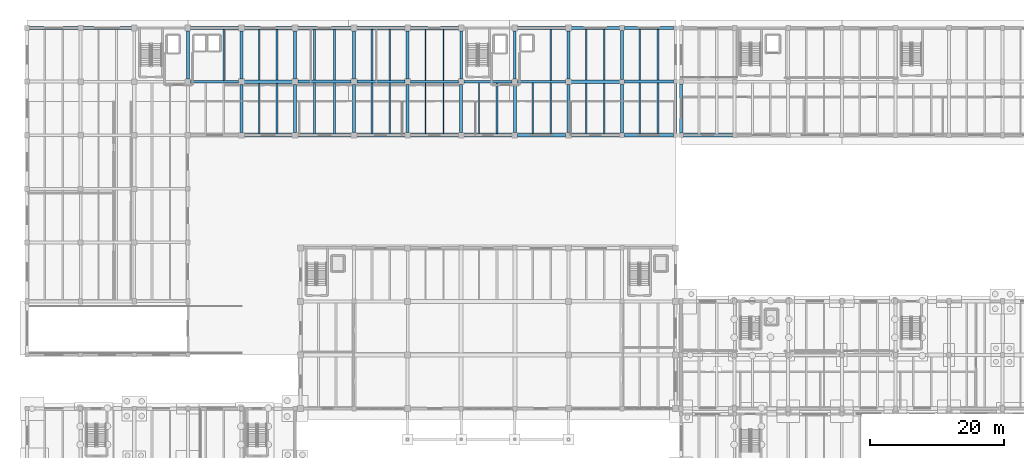
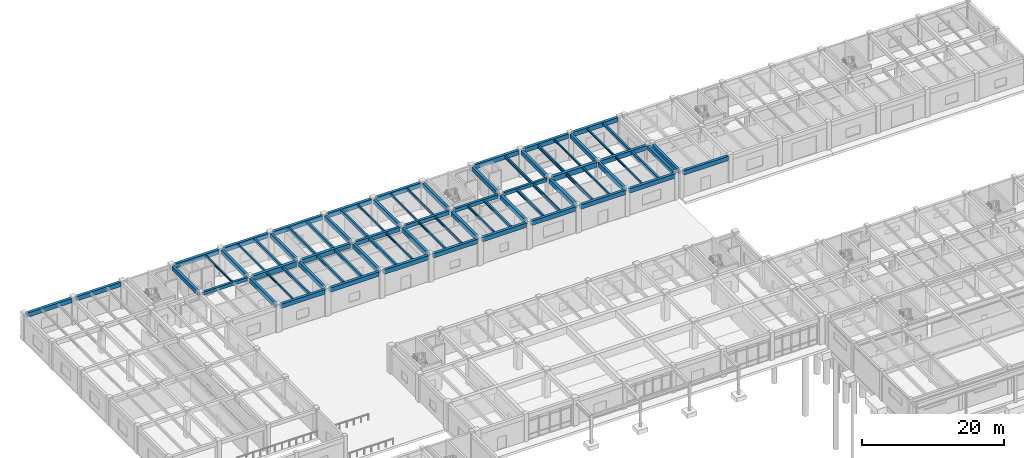
# One storey, part 24 of 64: 77 beams.
"""IFC4 building model written with IfcOpenShell, lengths in metres."""

from ifc_helpers import new_model, si_unit, direction, frame, origin, origin_2d, place, context, subcontext, project, spatial, rectangle, i_section, extrude, material, material_profile, profile_set, type_object, element, save


model = new_model("IFC4")

# Units and contexts
model_context = context("Model", 3, precision=1e-05, world=origin(), true_north=direction((0.0, 1.0)))
body_context = subcontext(model_context, "Body", "Model", "MODEL_VIEW")
ifc_project = project(units=[si_unit("LENGTHUNIT", "METRE"), si_unit("AREAUNIT", "SQUARE_METRE"), si_unit("VOLUMEUNIT", "CUBIC_METRE"), si_unit("PLANEANGLEUNIT", "RADIAN"), si_unit("MASSUNIT", "GRAM", prefix="KILO")], contexts=[model_context])

# Site, building, storey
site_placement = place(None, origin())
site = spatial("IfcSite", under=ifc_project, at=site_placement, CompositionType="ELEMENT")
building_placement = place(site_placement, origin())
building = spatial("IfcBuilding", under=site, at=building_placement, Name="Tlaxcora Railside Police Headquarters", CompositionType="ELEMENT")
storey_placement = place(building_placement, origin())
storey = spatial("IfcBuildingStorey", under=building, at=storey_placement, Name="L00", CompositionType="ELEMENT", Elevation=0.0)

# Beams
ifc_material_1 = material(Name="Concrete C40/50", Category="concrete")
ifc_material_profile_1 = material_profile(ifc_material_1, rectangle(XDim=0.39990234375, YDim=0.64990234375, at=origin_2d()), Name="RC400X650")
ifc_profile_set_1 = profile_set([ifc_material_profile_1], Name="Concrete C40/50")
beam_type_1 = type_object("IfcBeamType", Name="Perimeter Spandrel Beam BM-46", PredefinedType="SPANDREL", material=ifc_profile_set_1)
beam_1_placement = place(storey_placement, frame((102.0, 77.090087890625, 4.205078125), z_axis=(0.0, 1.0, 0.0), x_axis=(-1.0, 0.0, 0.0)))
element("IfcBeam", 1, at=beam_1_placement, inside=storey, type_object=beam_type_1, Name="V5 L00 Y-girder X=102.0", PredefinedType="SPANDREL", context=body_context, shape_type="SweptSolid", body=[
    extrude(rectangle(XDim=0.39990234375, YDim=0.64990234375, at=origin_2d()), origin(), (0.0, 0.0, 1.0), 7.419921875),
])
beam_2_placement = place(storey_placement, frame((102.800048828125, 77.139892578125, 4.205078125), z_axis=(0.0, 1.0, 0.0), x_axis=(-1.0, 0.0, 0.0)))
element("IfcBeam", 2, at=beam_2_placement, inside=storey, type_object=beam_type_1, Name="V6 L00 Y-girder X=102.8", PredefinedType="SPANDREL", context=body_context, shape_type="SweptSolid", body=[
    extrude(rectangle(XDim=0.39990234375, YDim=0.64990234375, at=origin_2d()), origin(), (0.0, 0.0, 1.0), 7.320068359375),
])
ifc_material_profile_2 = material_profile(ifc_material_1, rectangle(XDim=0.449951171875, YDim=0.75, at=origin_2d()), Name="RC450X750")
ifc_profile_set_2 = profile_set([ifc_material_profile_2], Name="Concrete C40/50")
beam_type_2 = type_object("IfcBeamType", Name="Perimeter Spandrel Beam BM-86", PredefinedType="SPANDREL", material=ifc_profile_set_2)
beam_3_placement = place(storey_placement, frame((37.614990234375, 76.800048828125, 4.155029296875), z_axis=(1.0, 0.0, 0.0), x_axis=(0.0, 1.0, 0.0)))
element("IfcBeam", 3, at=beam_3_placement, inside=storey, type_object=beam_type_2, Name="V5 L00 X-girder Y=76.8", PredefinedType="SPANDREL", context=body_context, shape_type="SweptSolid", body=[
    extrude(rectangle(XDim=0.449951171875, YDim=0.75, at=origin_2d()), origin(), (0.0, 0.0, 1.0), 7.169921875),
])
beam_4_placement = place(storey_placement, frame((45.614990234375, 76.800048828125, 4.155029296875), z_axis=(1.0, 0.0, 0.0), x_axis=(0.0, 1.0, 0.0)))
element("IfcBeam", 4, at=beam_4_placement, inside=storey, type_object=beam_type_2, Name="V5 L00 X-girder Y=76.8", PredefinedType="SPANDREL", context=body_context, shape_type="SweptSolid", body=[
    extrude(rectangle(XDim=0.449951171875, YDim=0.75, at=origin_2d()), origin(), (0.0, 0.0, 1.0), 7.969970703125),
])
for number, where, z_axis, x_axis, name in (
    (5, (54.4150390625, 76.800048828125, 4.155029296875), (1.0, 0.0, 0.0), (0.0, 1.0, 0.0), "V5 L00 X-girder Y=76.8"),
    (6, (62.4150390625, 76.800048828125, 4.155029296875), (1.0, 0.0, 0.0), (0.0, 1.0, 0.0), "V5 L00 X-girder Y=76.8"),
    (7, (70.4150390625, 76.800048828125, 4.155029296875), (1.0, 0.0, 0.0), (0.0, 1.0, 0.0), "V5 L00 X-girder Y=76.8"),
    (8, (78.4150390625, 76.800048828125, 4.155029296875), (1.0, 0.0, 0.0), (0.0, 1.0, 0.0), "V5 L00 X-girder Y=76.8"),
):
    element("IfcBeam", number, at=place(storey_placement, frame(where, z_axis=z_axis, x_axis=x_axis)), inside=storey, type_object=beam_type_2, Name=name, PredefinedType="SPANDREL", context=body_context, shape_type="SweptSolid", body=[
        extrude(rectangle(XDim=0.449951171875, YDim=0.75, at=origin_2d()), origin(), (0.0, 0.0, 1.0), 7.169921875),
    ])
beam_5_placement = place(storey_placement, frame((86.4150390625, 76.800048828125, 4.155029296875), z_axis=(1.0, 0.0, 0.0), x_axis=(0.0, 1.0, 0.0)))
element("IfcBeam", 9, at=beam_5_placement, inside=storey, type_object=beam_type_2, Name="V5 L00 X-girder Y=76.8", PredefinedType="SPANDREL", context=body_context, shape_type="SweptSolid", body=[
    extrude(rectangle(XDim=0.449951171875, YDim=0.75, at=origin_2d()), origin(), (0.0, 0.0, 1.0), 7.244873046875),
])
beam_6_placement = place(storey_placement, frame((94.340087890625, 76.800048828125, 4.155029296875), z_axis=(1.0, 0.0, 0.0), x_axis=(0.0, 1.0, 0.0)))
element("IfcBeam", 10, at=beam_6_placement, inside=storey, type_object=beam_type_2, Name="V5 L00 X-girder Y=76.8", PredefinedType="SPANDREL", context=body_context, shape_type="SweptSolid", body=[
    extrude(rectangle(XDim=0.449951171875, YDim=0.75, at=origin_2d()), origin(), (0.0, 0.0, 1.0), 7.369873046875),
])
beam_7_placement = place(storey_placement, frame((5.56494140625, 92.800048828125, 4.155029296875), z_axis=(1.0, 0.0, 0.0), x_axis=(0.0, 1.0, 0.0)))
element("IfcBeam", 11, at=beam_7_placement, inside=storey, type_object=beam_type_2, Name="V5 L00 X-girder Y=92.8", PredefinedType="SPANDREL", context=body_context, shape_type="SweptSolid", body=[
    extrude(rectangle(XDim=0.449951171875, YDim=0.75, at=origin_2d()), origin(), (0.0, 0.0, 1.0), 7.2451171875),
])
beam_8_placement = place(storey_placement, frame((13.590087890625, 92.800048828125, 4.155029296875), z_axis=(1.0, 0.0, 0.0), x_axis=(0.0, 1.0, 0.0)))
element("IfcBeam", 12, at=beam_8_placement, inside=storey, type_object=beam_type_2, Name="V5 L00 X-girder Y=92.8", PredefinedType="SPANDREL", context=body_context, shape_type="SweptSolid", body=[
    extrude(rectangle(XDim=0.449951171875, YDim=0.75, at=origin_2d()), origin(), (0.0, 0.0, 1.0), 7.19482421875),
])
for number, where, z_axis, x_axis, name in (
    (13, (29.614990234375, 92.800048828125, 4.155029296875), (1.0, 0.0, 0.0), (0.0, 1.0, 0.0), "V5 L00 X-girder Y=92.8"),
    (14, (37.614990234375, 92.800048828125, 4.155029296875), (1.0, 0.0, 0.0), (0.0, 1.0, 0.0), "V5 L00 X-girder Y=92.8"),
):
    element("IfcBeam", number, at=place(storey_placement, frame(where, z_axis=z_axis, x_axis=x_axis)), inside=storey, type_object=beam_type_2, Name=name, PredefinedType="SPANDREL", context=body_context, shape_type="SweptSolid", body=[
        extrude(rectangle(XDim=0.449951171875, YDim=0.75, at=origin_2d()), origin(), (0.0, 0.0, 1.0), 7.169921875),
    ])
beam_9_placement = place(storey_placement, frame((45.614990234375, 92.800048828125, 4.155029296875), z_axis=(1.0, 0.0, 0.0), x_axis=(0.0, 1.0, 0.0)))
element("IfcBeam", 15, at=beam_9_placement, inside=storey, type_object=beam_type_2, Name="V5 L00 X-girder Y=92.8", PredefinedType="SPANDREL", context=body_context, shape_type="SweptSolid", body=[
    extrude(rectangle(XDim=0.449951171875, YDim=0.75, at=origin_2d()), origin(), (0.0, 0.0, 1.0), 7.969970703125),
])
for number, where, z_axis, x_axis, name in (
    (16, (54.4150390625, 92.800048828125, 4.155029296875), (1.0, 0.0, 0.0), (0.0, 1.0, 0.0), "V5 L00 X-girder Y=92.8"),
    (17, (62.4150390625, 92.800048828125, 4.155029296875), (1.0, 0.0, 0.0), (0.0, 1.0, 0.0), "V5 L00 X-girder Y=92.8"),
    (18, (78.4150390625, 92.800048828125, 4.155029296875), (1.0, 0.0, 0.0), (0.0, 1.0, 0.0), "V5 L00 X-girder Y=92.8"),
):
    element("IfcBeam", number, at=place(storey_placement, frame(where, z_axis=z_axis, x_axis=x_axis)), inside=storey, type_object=beam_type_2, Name=name, PredefinedType="SPANDREL", context=body_context, shape_type="SweptSolid", body=[
        extrude(rectangle(XDim=0.449951171875, YDim=0.75, at=origin_2d()), origin(), (0.0, 0.0, 1.0), 7.169921875),
    ])
beam_10_placement = place(storey_placement, frame((86.4150390625, 92.800048828125, 4.155029296875), z_axis=(1.0, 0.0, 0.0), x_axis=(0.0, 1.0, 0.0)))
element("IfcBeam", 19, at=beam_10_placement, inside=storey, type_object=beam_type_2, Name="V5 L00 X-girder Y=92.8", PredefinedType="SPANDREL", context=body_context, shape_type="SweptSolid", body=[
    extrude(rectangle(XDim=0.449951171875, YDim=0.75, at=origin_2d()), origin(), (0.0, 0.0, 1.0), 7.244873046875),
])
beam_11_placement = place(storey_placement, frame((94.340087890625, 92.800048828125, 4.155029296875), z_axis=(1.0, 0.0, 0.0), x_axis=(0.0, 1.0, 0.0)))
element("IfcBeam", 20, at=beam_11_placement, inside=storey, type_object=beam_type_2, Name="V5 L00 X-girder Y=92.8", PredefinedType="SPANDREL", context=body_context, shape_type="SweptSolid", body=[
    extrude(rectangle(XDim=0.449951171875, YDim=0.75, at=origin_2d()), origin(), (0.0, 0.0, 1.0), 7.369873046875),
])
beam_12_placement = place(storey_placement, frame((103.139892578125, 76.800048828125, 4.155029296875), z_axis=(1.0, 0.0, 0.0), x_axis=(0.0, 1.0, 0.0)))
element("IfcBeam", 21, at=beam_12_placement, inside=storey, type_object=beam_type_2, Name="V6 L00 X-girder Y=76.8", PredefinedType="SPANDREL", context=body_context, shape_type="SweptSolid", body=[
    extrude(rectangle(XDim=0.449951171875, YDim=0.75, at=origin_2d()), origin(), (0.0, 0.0, 1.0), 7.320068359375),
])
ifc_material_profile_3 = material_profile(ifc_material_1, rectangle(XDim=0.3798828125, YDim=0.60009765625, at=origin_2d()), Name="RC380X600")
ifc_profile_set_3 = profile_set([ifc_material_profile_3], Name="Concrete C40/50")
beam_type_3 = type_object("IfcBeamType", Name="Primary Frame Girder BM-22", PredefinedType="BEAM", material=ifc_profile_set_3)
beam_13_placement = place(storey_placement, frame((70.4150390625, 84.800048828125, 4.22998046875), z_axis=(1.0, 0.0, 0.0), x_axis=(0.0, 1.0, 0.0)))
element("IfcBeam", 22, at=beam_13_placement, inside=storey, type_object=beam_type_3, Name="V5 L00 X-girder Y=84.8", PredefinedType="BEAM", context=body_context, shape_type="SweptSolid", body=[
    extrude(rectangle(XDim=0.3798828125, YDim=0.60009765625, at=origin_2d()), origin(), (0.0, 0.0, 1.0), 7.169921875),
])
ifc_material_profile_4 = material_profile(ifc_material_1, rectangle(XDim=0.419921875, YDim=0.699951171875, at=origin_2d()), Name="RC420X700")
ifc_profile_set_4 = profile_set([ifc_material_profile_4], Name="Concrete C40/50")
beam_type_4 = type_object("IfcBeamType", Name="Primary Frame Girder BM-35", PredefinedType="BEAM", material=ifc_profile_set_4)
for number, where, z_axis, x_axis, name in (
    (23, (54.4150390625, 84.800048828125, 4.179931640625), (1.0, 0.0, 0.0), (0.0, 1.0, 0.0), "V5 L00 X-girder Y=84.8"),
    (24, (29.199951171875, 85.215087890625, 4.179931640625), (0.0, 1.0, 0.0), (-1.0, 0.0, 0.0), "V5 L00 Y-girder X=29.2"),
    (25, (37.199951171875, 85.215087890625, 4.179931640625), (0.0, 1.0, 0.0), (-1.0, 0.0, 0.0), "V5 L00 Y-girder X=37.2"),
    (26, (45.199951171875, 85.215087890625, 4.179931640625), (0.0, 1.0, 0.0), (-1.0, 0.0, 0.0), "V5 L00 Y-girder X=45.2"),
    (27, (54.0, 85.215087890625, 4.179931640625), (0.0, 1.0, 0.0), (-1.0, 0.0, 0.0), "V5 L00 Y-girder X=54.0"),
    (28, (62.0, 85.215087890625, 4.179931640625), (0.0, 1.0, 0.0), (-1.0, 0.0, 0.0), "V5 L00 Y-girder X=62.0"),
    (29, (70.0, 85.215087890625, 4.179931640625), (0.0, 1.0, 0.0), (-1.0, 0.0, 0.0), "V5 L00 Y-girder X=70.0"),
    (30, (78.0, 85.215087890625, 4.179931640625), (0.0, 1.0, 0.0), (-1.0, 0.0, 0.0), "V5 L00 Y-girder X=78.0"),
    (31, (86.0, 85.215087890625, 4.179931640625), (0.0, 1.0, 0.0), (-1.0, 0.0, 0.0), "V5 L00 Y-girder X=86.0"),
):
    element("IfcBeam", number, at=place(storey_placement, frame(where, z_axis=z_axis, x_axis=x_axis)), inside=storey, type_object=beam_type_4, Name=name, PredefinedType="BEAM", context=body_context, shape_type="SweptSolid", body=[
        extrude(rectangle(XDim=0.419921875, YDim=0.699951171875, at=origin_2d()), origin(), (0.0, 0.0, 1.0), 7.169921875),
    ])
beam_14_placement = place(storey_placement, frame((94.0, 85.139892578125, 4.179931640625), z_axis=(0.0, 1.0, 0.0), x_axis=(-1.0, 0.0, 0.0)))
element("IfcBeam", 32, at=beam_14_placement, inside=storey, type_object=beam_type_4, Name="V5 L00 Y-girder X=94.0", PredefinedType="BEAM", context=body_context, shape_type="SweptSolid", body=[
    extrude(rectangle(XDim=0.419921875, YDim=0.699951171875, at=origin_2d()), origin(), (0.0, 0.0, 1.0), 7.320068359375),
])
ifc_material_profile_5 = material_profile(ifc_material_1, rectangle(XDim=0.35009765625, YDim=0.550048828125, at=origin_2d()), Name="RC350X550")
ifc_profile_set_5 = profile_set([ifc_material_profile_5], Name="Concrete C40/50")
beam_type_5 = type_object("IfcBeamType", Name="Primary Frame Girder BM-39", PredefinedType="BEAM", material=ifc_profile_set_5)
for number, where, z_axis, x_axis, name in (
    (33, (29.614990234375, 84.800048828125, 4.2548828125), (1.0, 0.0, 0.0), (0.0, 1.0, 0.0), "V5 L00 X-girder Y=84.8"),
    (34, (78.4150390625, 84.800048828125, 4.2548828125), (1.0, 0.0, 0.0), (0.0, 1.0, 0.0), "V5 L00 X-girder Y=84.8"),
):
    element("IfcBeam", number, at=place(storey_placement, frame(where, z_axis=z_axis, x_axis=x_axis)), inside=storey, type_object=beam_type_5, Name=name, PredefinedType="BEAM", context=body_context, shape_type="SweptSolid", body=[
        extrude(rectangle(XDim=0.35009765625, YDim=0.550048828125, at=origin_2d()), origin(), (0.0, 0.0, 1.0), 7.169921875),
    ])
ifc_material_profile_6 = material_profile(ifc_material_1, rectangle(XDim=0.39990234375, YDim=0.64990234375, at=origin_2d()), Name="RC400X650")
ifc_profile_set_6 = profile_set([ifc_material_profile_6], Name="Concrete C40/50")
beam_type_6 = type_object("IfcBeamType", Name="Primary Frame Girder BM-41", PredefinedType="BEAM", material=ifc_profile_set_6)
beam_15_placement = place(storey_placement, frame((62.4150390625, 84.800048828125, 4.205078125), z_axis=(1.0, 0.0, 0.0), x_axis=(0.0, 1.0, 0.0)))
element("IfcBeam", 35, at=beam_15_placement, inside=storey, type_object=beam_type_6, Name="V5 L00 X-girder Y=84.8", PredefinedType="BEAM", context=body_context, shape_type="SweptSolid", body=[
    extrude(rectangle(XDim=0.39990234375, YDim=0.64990234375, at=origin_2d()), origin(), (0.0, 0.0, 1.0), 7.169921875),
])
ifc_material_profile_7 = material_profile(ifc_material_1, rectangle(XDim=0.5, YDim=0.85009765625, at=origin_2d()), Name="RC500X850")
ifc_profile_set_7 = profile_set([ifc_material_profile_7], Name="Concrete C40/50")
beam_type_7 = type_object("IfcBeamType", Name="Primary Frame Girder BM-64", PredefinedType="BEAM", material=ifc_profile_set_7)
beam_16_placement = place(storey_placement, frame((37.614990234375, 84.800048828125, 4.10498046875), z_axis=(1.0, 0.0, 0.0), x_axis=(0.0, 1.0, 0.0)))
element("IfcBeam", 36, at=beam_16_placement, inside=storey, type_object=beam_type_7, Name="V5 L00 X-girder Y=84.8", PredefinedType="BEAM", context=body_context, shape_type="SweptSolid", body=[
    extrude(rectangle(XDim=0.5, YDim=0.85009765625, at=origin_2d()), origin(), (0.0, 0.0, 1.0), 7.169921875),
])
beam_17_placement = place(storey_placement, frame((86.4150390625, 84.800048828125, 4.10498046875), z_axis=(1.0, 0.0, 0.0), x_axis=(0.0, 1.0, 0.0)))
element("IfcBeam", 37, at=beam_17_placement, inside=storey, type_object=beam_type_7, Name="V5 L00 X-girder Y=84.8", PredefinedType="BEAM", context=body_context, shape_type="SweptSolid", body=[
    extrude(rectangle(XDim=0.5, YDim=0.85009765625, at=origin_2d()), origin(), (0.0, 0.0, 1.0), 7.244873046875),
])
ifc_material_profile_8 = material_profile(ifc_material_1, rectangle(XDim=0.449951171875, YDim=0.75, at=origin_2d()), Name="RC450X750")
ifc_profile_set_8 = profile_set([ifc_material_profile_8], Name="Concrete C40/50")
beam_type_8 = type_object("IfcBeamType", Name="Primary Frame Girder BM-73", PredefinedType="BEAM", material=ifc_profile_set_8)
beam_18_placement = place(storey_placement, frame((45.614990234375, 84.800048828125, 4.155029296875), z_axis=(1.0, 0.0, 0.0), x_axis=(0.0, 1.0, 0.0)))
element("IfcBeam", 38, at=beam_18_placement, inside=storey, type_object=beam_type_8, Name="V5 L00 X-girder Y=84.8", PredefinedType="BEAM", context=body_context, shape_type="SweptSolid", body=[
    extrude(rectangle(XDim=0.449951171875, YDim=0.75, at=origin_2d()), origin(), (0.0, 0.0, 1.0), 7.969970703125),
])
beam_19_placement = place(storey_placement, frame((94.340087890625, 84.800048828125, 4.155029296875), z_axis=(1.0, 0.0, 0.0), x_axis=(0.0, 1.0, 0.0)))
element("IfcBeam", 39, at=beam_19_placement, inside=storey, type_object=beam_type_8, Name="V5 L00 X-girder Y=84.8", PredefinedType="BEAM", context=body_context, shape_type="SweptSolid", body=[
    extrude(rectangle(XDim=0.449951171875, YDim=0.75, at=origin_2d()), origin(), (0.0, 0.0, 1.0), 7.369873046875),
])
for number, where, z_axis, x_axis, name in (
    (40, (37.199951171875, 77.215087890625, 4.155029296875), (0.0, 1.0, 0.0), (-1.0, 0.0, 0.0), "V5 L00 Y-girder X=37.2"),
    (41, (45.199951171875, 77.215087890625, 4.155029296875), (0.0, 1.0, 0.0), (-1.0, 0.0, 0.0), "V5 L00 Y-girder X=45.2"),
    (42, (54.0, 77.215087890625, 4.155029296875), (0.0, 1.0, 0.0), (-1.0, 0.0, 0.0), "V5 L00 Y-girder X=54.0"),
    (43, (62.0, 77.215087890625, 4.155029296875), (0.0, 1.0, 0.0), (-1.0, 0.0, 0.0), "V5 L00 Y-girder X=62.0"),
    (44, (70.0, 77.215087890625, 4.155029296875), (0.0, 1.0, 0.0), (-1.0, 0.0, 0.0), "V5 L00 Y-girder X=70.0"),
    (45, (78.0, 77.215087890625, 4.155029296875), (0.0, 1.0, 0.0), (-1.0, 0.0, 0.0), "V5 L00 Y-girder X=78.0"),
    (46, (86.0, 77.215087890625, 4.155029296875), (0.0, 1.0, 0.0), (-1.0, 0.0, 0.0), "V5 L00 Y-girder X=86.0"),
):
    element("IfcBeam", number, at=place(storey_placement, frame(where, z_axis=z_axis, x_axis=x_axis)), inside=storey, type_object=beam_type_8, Name=name, PredefinedType="BEAM", context=body_context, shape_type="SweptSolid", body=[
        extrude(rectangle(XDim=0.449951171875, YDim=0.75, at=origin_2d()), origin(), (0.0, 0.0, 1.0), 7.169921875),
    ])
beam_20_placement = place(storey_placement, frame((94.0, 77.139892578125, 4.155029296875), z_axis=(0.0, 1.0, 0.0), x_axis=(-1.0, 0.0, 0.0)))
element("IfcBeam", 47, at=beam_20_placement, inside=storey, type_object=beam_type_8, Name="V5 L00 Y-girder X=94.0", PredefinedType="BEAM", context=body_context, shape_type="SweptSolid", body=[
    extrude(rectangle(XDim=0.449951171875, YDim=0.75, at=origin_2d()), origin(), (0.0, 0.0, 1.0), 7.320068359375),
])
ifc_material_2 = material(Name="Concrete C35/45", Category="concrete")
ifc_material_profile_9 = material_profile(ifc_material_2, rectangle(XDim=0.300048828125, YDim=0.449951171875, at=origin_2d()), Name="RC300X450")
ifc_profile_set_9 = profile_set([ifc_material_profile_9], Name="Concrete C35/45")
beam_type_9 = type_object("IfcBeamType", Name="Secondary Floor Joist BM-27", PredefinedType="JOIST", material=ifc_profile_set_9)
beam_21_placement = place(storey_placement, frame((42.533203125, 77.01708984375, 4.304931640625), z_axis=(0.0, 1.0, 0.0), x_axis=(-1.0, 0.0, 0.0)))
element("IfcBeam", 48, at=beam_21_placement, inside=storey, type_object=beam_type_9, Name="V5 L00 floor joist X=42.53", PredefinedType="JOIST", context=body_context, shape_type="SweptSolid", body=[
    extrude(rectangle(XDim=0.300048828125, YDim=0.449951171875, at=origin_2d()), origin(), (0.0, 0.0, 1.0), 7.541015625),
])
for number, where, z_axis, x_axis, name in (
    (49, (48.13330078125, 77.01708984375, 4.304931640625), (0.0, 1.0, 0.0), (-1.0, 0.0, 0.0), "V5 L00 floor joist X=48.13"),
    (50, (99.333251953125, 77.01708984375, 4.304931640625), (0.0, 1.0, 0.0), (-1.0, 0.0, 0.0), "V5 L00 floor joist X=99.33"),
):
    element("IfcBeam", number, at=place(storey_placement, frame(where, z_axis=z_axis, x_axis=x_axis)), inside=storey, type_object=beam_type_9, Name=name, PredefinedType="JOIST", context=body_context, shape_type="SweptSolid", body=[
        extrude(rectangle(XDim=0.300048828125, YDim=0.449951171875, at=origin_2d()), origin(), (0.0, 0.0, 1.0), 7.56591796875),
    ])
beam_22_placement = place(storey_placement, frame((42.533203125, 85.0419921875, 4.304931640625), z_axis=(0.0, 1.0, 0.0), x_axis=(-1.0, 0.0, 0.0)))
element("IfcBeam", 51, at=beam_22_placement, inside=storey, type_object=beam_type_9, Name="V5 L00 floor joist X=42.53", PredefinedType="JOIST", context=body_context, shape_type="SweptSolid", body=[
    extrude(rectangle(XDim=0.300048828125, YDim=0.449951171875, at=origin_2d()), origin(), (0.0, 0.0, 1.0), 7.541015625),
])
for number, where, z_axis, x_axis, name in (
    (52, (48.13330078125, 85.01708984375, 4.304931640625), (0.0, 1.0, 0.0), (-1.0, 0.0, 0.0), "V5 L00 floor joist X=48.13"),
    (53, (99.333251953125, 85.01708984375, 4.304931640625), (0.0, 1.0, 0.0), (-1.0, 0.0, 0.0), "V5 L00 floor joist X=99.33"),
):
    element("IfcBeam", number, at=place(storey_placement, frame(where, z_axis=z_axis, x_axis=x_axis)), inside=storey, type_object=beam_type_9, Name=name, PredefinedType="JOIST", context=body_context, shape_type="SweptSolid", body=[
        extrude(rectangle(XDim=0.300048828125, YDim=0.449951171875, at=origin_2d()), origin(), (0.0, 0.0, 1.0), 7.56591796875),
    ])
ifc_material_3 = material(Name="Steel ASTM A992 Grade 50", Category="steel")
ifc_material_profile_10 = material_profile(ifc_material_3, i_section(OverallWidth=0.280029296875, OverallDepth=0.4619140625, WebThickness=0.0107421875, FlangeThickness=0.017333984375, at=origin_2d()), Name="W18X76")
ifc_profile_set_10 = profile_set([ifc_material_profile_10], Name="Steel ASTM A992 Grade 50")
beam_type_10 = type_object("IfcBeamType", Name="Secondary Floor Joist BM-44", PredefinedType="JOIST", material=ifc_profile_set_10)
beam_23_placement = place(storey_placement, frame((75.333251953125, 77.01708984375, 4.299072265625), z_axis=(0.0, 1.0, 0.0), x_axis=(-1.0, 0.0, 0.0)))
element("IfcBeam", 54, at=beam_23_placement, inside=storey, type_object=beam_type_10, Name="V5 L00 floor joist X=75.33", PredefinedType="JOIST", context=body_context, shape_type="SweptSolid", body=[
    extrude(i_section(OverallWidth=0.280029296875, OverallDepth=0.4619140625, WebThickness=0.0107421875, FlangeThickness=0.017333984375, at=origin_2d()), origin(), (0.0, 0.0, 1.0), 7.600830078125),
])
beam_24_placement = place(storey_placement, frame((80.666748046875, 77.01708984375, 4.299072265625), z_axis=(0.0, 1.0, 0.0), x_axis=(-1.0, 0.0, 0.0)))
element("IfcBeam", 55, at=beam_24_placement, inside=storey, type_object=beam_type_10, Name="V5 L00 floor joist X=80.67", PredefinedType="JOIST", context=body_context, shape_type="SweptSolid", body=[
    extrude(i_section(OverallWidth=0.280029296875, OverallDepth=0.4619140625, WebThickness=0.0107421875, FlangeThickness=0.017333984375, at=origin_2d()), origin(), (0.0, 0.0, 1.0), 7.615966796875),
])
ifc_material_profile_11 = material_profile(ifc_material_3, i_section(OverallWidth=0.2041015625, OverallDepth=0.35009765625, WebThickness=0.008544921875, FlangeThickness=0.01513671875, at=origin_2d()), Name="W14X48")
ifc_profile_set_11 = profile_set([ifc_material_profile_11], Name="Steel ASTM A992 Grade 50")
beam_type_11 = type_object("IfcBeamType", Name="Secondary Floor Joist BM-65", PredefinedType="JOIST", material=ifc_profile_set_11)
beam_25_placement = place(storey_placement, frame((59.333251953125, 77.01708984375, 4.35498046875), z_axis=(0.0, 1.0, 0.0), x_axis=(-1.0, 0.0, 0.0)))
element("IfcBeam", 56, at=beam_25_placement, inside=storey, type_object=beam_type_11, Name="V5 L00 floor joist X=59.33", PredefinedType="JOIST", context=body_context, shape_type="SweptSolid", body=[
    extrude(i_section(OverallWidth=0.2041015625, OverallDepth=0.35009765625, WebThickness=0.008544921875, FlangeThickness=0.01513671875, at=origin_2d()), origin(), (0.0, 0.0, 1.0), 7.580810546875),
])
beam_26_placement = place(storey_placement, frame((64.666748046875, 77.01708984375, 4.35498046875), z_axis=(0.0, 1.0, 0.0), x_axis=(-1.0, 0.0, 0.0)))
element("IfcBeam", 57, at=beam_26_placement, inside=storey, type_object=beam_type_11, Name="V5 L00 floor joist X=64.67", PredefinedType="JOIST", context=body_context, shape_type="SweptSolid", body=[
    extrude(i_section(OverallWidth=0.2041015625, OverallDepth=0.35009765625, WebThickness=0.008544921875, FlangeThickness=0.01513671875, at=origin_2d()), origin(), (0.0, 0.0, 1.0), 7.5908203125),
])
beam_27_placement = place(storey_placement, frame((59.333251953125, 85.001953125, 4.35498046875), z_axis=(0.0, 1.0, 0.0), x_axis=(-1.0, 0.0, 0.0)))
element("IfcBeam", 58, at=beam_27_placement, inside=storey, type_object=beam_type_11, Name="V5 L00 floor joist X=59.33", PredefinedType="JOIST", context=body_context, shape_type="SweptSolid", body=[
    extrude(i_section(OverallWidth=0.2041015625, OverallDepth=0.35009765625, WebThickness=0.008544921875, FlangeThickness=0.01513671875, at=origin_2d()), origin(), (0.0, 0.0, 1.0), 7.5810546875),
])
beam_28_placement = place(storey_placement, frame((64.666748046875, 84.991943359375, 4.35498046875), z_axis=(0.0, 1.0, 0.0), x_axis=(-1.0, 0.0, 0.0)))
element("IfcBeam", 59, at=beam_28_placement, inside=storey, type_object=beam_type_11, Name="V5 L00 floor joist X=64.67", PredefinedType="JOIST", context=body_context, shape_type="SweptSolid", body=[
    extrude(i_section(OverallWidth=0.2041015625, OverallDepth=0.35009765625, WebThickness=0.008544921875, FlangeThickness=0.01513671875, at=origin_2d()), origin(), (0.0, 0.0, 1.0), 7.591064453125),
])
ifc_material_profile_12 = material_profile(ifc_material_3, i_section(OverallWidth=0.180908203125, OverallDepth=0.4169921875, WebThickness=0.010009765625, FlangeThickness=0.018310546875, at=origin_2d()), Name="W16X57")
ifc_profile_set_12 = profile_set([ifc_material_profile_12], Name="Steel ASTM A992 Grade 50")
beam_type_12 = type_object("IfcBeamType", Name="Secondary Floor Joist BM-84", PredefinedType="JOIST", material=ifc_profile_set_12)
beam_29_placement = place(storey_placement, frame((67.333251953125, 77.01708984375, 4.321533203125), z_axis=(0.0, 1.0, 0.0), x_axis=(-1.0, 0.0, 0.0)))
element("IfcBeam", 60, at=beam_29_placement, inside=storey, type_object=beam_type_12, Name="V5 L00 floor joist X=67.33", PredefinedType="JOIST", context=body_context, shape_type="SweptSolid", body=[
    extrude(i_section(OverallWidth=0.180908203125, OverallDepth=0.4169921875, WebThickness=0.010009765625, FlangeThickness=0.018310546875, at=origin_2d()), origin(), (0.0, 0.0, 1.0), 7.5908203125),
])
beam_30_placement = place(storey_placement, frame((72.666748046875, 77.01708984375, 4.321533203125), z_axis=(0.0, 1.0, 0.0), x_axis=(-1.0, 0.0, 0.0)))
element("IfcBeam", 61, at=beam_30_placement, inside=storey, type_object=beam_type_12, Name="V5 L00 floor joist X=72.67", PredefinedType="JOIST", context=body_context, shape_type="SweptSolid", body=[
    extrude(i_section(OverallWidth=0.180908203125, OverallDepth=0.4169921875, WebThickness=0.010009765625, FlangeThickness=0.018310546875, at=origin_2d()), origin(), (0.0, 0.0, 1.0), 7.600830078125),
])
beam_31_placement = place(storey_placement, frame((67.333251953125, 84.991943359375, 4.321533203125), z_axis=(0.0, 1.0, 0.0), x_axis=(-1.0, 0.0, 0.0)))
element("IfcBeam", 62, at=beam_31_placement, inside=storey, type_object=beam_type_12, Name="V5 L00 floor joist X=67.33", PredefinedType="JOIST", context=body_context, shape_type="SweptSolid", body=[
    extrude(i_section(OverallWidth=0.180908203125, OverallDepth=0.4169921875, WebThickness=0.010009765625, FlangeThickness=0.018310546875, at=origin_2d()), origin(), (0.0, 0.0, 1.0), 7.591064453125),
])
ifc_material_profile_13 = material_profile(ifc_material_2, rectangle(XDim=0.320068359375, YDim=0.5, at=origin_2d()), Name="RC320X500")
ifc_profile_set_13 = profile_set([ifc_material_profile_13], Name="Concrete C35/45")
beam_type_13 = type_object("IfcBeamType", Name="Secondary Floor Joist BM-88", PredefinedType="JOIST", material=ifc_profile_set_13)
beam_32_placement = place(storey_placement, frame((51.066650390625, 77.01708984375, 4.280029296875), z_axis=(0.0, 1.0, 0.0), x_axis=(-1.0, 0.0, 0.0)))
element("IfcBeam", 63, at=beam_32_placement, inside=storey, type_object=beam_type_13, Name="V5 L00 floor joist X=51.07", PredefinedType="JOIST", context=body_context, shape_type="SweptSolid", body=[
    extrude(rectangle(XDim=0.320068359375, YDim=0.5, at=origin_2d()), origin(), (0.0, 0.0, 1.0), 7.56591796875),
])
beam_33_placement = place(storey_placement, frame((56.666748046875, 77.01708984375, 4.280029296875), z_axis=(0.0, 1.0, 0.0), x_axis=(-1.0, 0.0, 0.0)))
element("IfcBeam", 64, at=beam_33_placement, inside=storey, type_object=beam_type_13, Name="V5 L00 floor joist X=56.67", PredefinedType="JOIST", context=body_context, shape_type="SweptSolid", body=[
    extrude(rectangle(XDim=0.320068359375, YDim=0.5, at=origin_2d()), origin(), (0.0, 0.0, 1.0), 7.580810546875),
])
beam_34_placement = place(storey_placement, frame((51.066650390625, 85.01708984375, 4.280029296875), z_axis=(0.0, 1.0, 0.0), x_axis=(-1.0, 0.0, 0.0)))
element("IfcBeam", 65, at=beam_34_placement, inside=storey, type_object=beam_type_13, Name="V5 L00 floor joist X=51.07", PredefinedType="JOIST", context=body_context, shape_type="SweptSolid", body=[
    extrude(rectangle(XDim=0.320068359375, YDim=0.5, at=origin_2d()), origin(), (0.0, 0.0, 1.0), 7.56591796875),
])
beam_35_placement = place(storey_placement, frame((56.666748046875, 85.001953125, 4.280029296875), z_axis=(0.0, 1.0, 0.0), x_axis=(-1.0, 0.0, 0.0)))
element("IfcBeam", 66, at=beam_35_placement, inside=storey, type_object=beam_type_13, Name="V5 L00 floor joist X=56.67", PredefinedType="JOIST", context=body_context, shape_type="SweptSolid", body=[
    extrude(rectangle(XDim=0.320068359375, YDim=0.5, at=origin_2d()), origin(), (0.0, 0.0, 1.0), 7.5810546875),
])
ifc_material_profile_14 = material_profile(ifc_material_3, i_section(OverallWidth=0.202880859375, OverallDepth=0.302978515625, WebThickness=0.007568359375, FlangeThickness=0.01318359375, at=origin_2d()), Name="W12X40")
ifc_profile_set_14 = profile_set([ifc_material_profile_14], Name="Steel ASTM A992 Grade 50")
beam_type_14 = type_object("IfcBeamType", Name="Secondary Floor Joist BM-96", PredefinedType="JOIST", material=ifc_profile_set_14)
for number, where, z_axis, x_axis, name in (
    (67, (39.86669921875, 77.01708984375, 4.37841796875), (0.0, 1.0, 0.0), (-1.0, 0.0, 0.0), "V5 L00 floor joist X=39.87"),
    (68, (91.333251953125, 77.01708984375, 4.37841796875), (0.0, 1.0, 0.0), (-1.0, 0.0, 0.0), "V5 L00 floor joist X=91.33"),
):
    element("IfcBeam", number, at=place(storey_placement, frame(where, z_axis=z_axis, x_axis=x_axis)), inside=storey, type_object=beam_type_14, Name=name, PredefinedType="JOIST", context=body_context, shape_type="SweptSolid", body=[
        extrude(i_section(OverallWidth=0.202880859375, OverallDepth=0.302978515625, WebThickness=0.007568359375, FlangeThickness=0.01318359375, at=origin_2d()), origin(), (0.0, 0.0, 1.0), 7.541015625),
    ])
beam_36_placement = place(storey_placement, frame((96.666748046875, 77.01708984375, 4.37841796875), z_axis=(0.0, 1.0, 0.0), x_axis=(-1.0, 0.0, 0.0)))
element("IfcBeam", 69, at=beam_36_placement, inside=storey, type_object=beam_type_14, Name="V5 L00 floor joist X=96.67", PredefinedType="JOIST", context=body_context, shape_type="SweptSolid", body=[
    extrude(i_section(OverallWidth=0.202880859375, OverallDepth=0.302978515625, WebThickness=0.007568359375, FlangeThickness=0.01318359375, at=origin_2d()), origin(), (0.0, 0.0, 1.0), 7.56591796875),
])
beam_37_placement = place(storey_placement, frame((34.533203125, 84.967041015625, 4.37841796875), z_axis=(0.0, 1.0, 0.0), x_axis=(-1.0, 0.0, 0.0)))
element("IfcBeam", 70, at=beam_37_placement, inside=storey, type_object=beam_type_14, Name="V5 L00 floor joist X=34.53", PredefinedType="JOIST", context=body_context, shape_type="SweptSolid", body=[
    extrude(i_section(OverallWidth=0.202880859375, OverallDepth=0.302978515625, WebThickness=0.007568359375, FlangeThickness=0.01318359375, at=origin_2d()), origin(), (0.0, 0.0, 1.0), 7.615966796875),
])
for number, where, z_axis, x_axis, name in (
    (71, (39.86669921875, 85.0419921875, 4.37841796875), (0.0, 1.0, 0.0), (-1.0, 0.0, 0.0), "V5 L00 floor joist X=39.87"),
    (72, (91.333251953125, 85.0419921875, 4.37841796875), (0.0, 1.0, 0.0), (-1.0, 0.0, 0.0), "V5 L00 floor joist X=91.33"),
):
    element("IfcBeam", number, at=place(storey_placement, frame(where, z_axis=z_axis, x_axis=x_axis)), inside=storey, type_object=beam_type_14, Name=name, PredefinedType="JOIST", context=body_context, shape_type="SweptSolid", body=[
        extrude(i_section(OverallWidth=0.202880859375, OverallDepth=0.302978515625, WebThickness=0.007568359375, FlangeThickness=0.01318359375, at=origin_2d()), origin(), (0.0, 0.0, 1.0), 7.541015625),
    ])
beam_38_placement = place(storey_placement, frame((96.666748046875, 85.01708984375, 4.37841796875), z_axis=(0.0, 1.0, 0.0), x_axis=(-1.0, 0.0, 0.0)))
element("IfcBeam", 73, at=beam_38_placement, inside=storey, type_object=beam_type_14, Name="V5 L00 floor joist X=96.67", PredefinedType="JOIST", context=body_context, shape_type="SweptSolid", body=[
    extrude(i_section(OverallWidth=0.202880859375, OverallDepth=0.302978515625, WebThickness=0.007568359375, FlangeThickness=0.01318359375, at=origin_2d()), origin(), (0.0, 0.0, 1.0), 7.56591796875),
])
ifc_material_profile_15 = material_profile(ifc_material_3, i_section(OverallWidth=0.214111328125, OverallDepth=0.549072265625, WebThickness=0.0146484375, FlangeThickness=0.023681640625, at=origin_2d()), Name="W21X93")
ifc_profile_set_15 = profile_set([ifc_material_profile_15], Name="Steel ASTM A992 Grade 50")
beam_type_15 = type_object("IfcBeamType", Name="Secondary Floor Joist BM-97", PredefinedType="JOIST", material=ifc_profile_set_15)
beam_39_placement = place(storey_placement, frame((83.333251953125, 77.01708984375, 4.255615234375), z_axis=(0.0, 1.0, 0.0), x_axis=(-1.0, 0.0, 0.0)))
element("IfcBeam", 74, at=beam_39_placement, inside=storey, type_object=beam_type_15, Name="V5 L00 floor joist X=83.33", PredefinedType="JOIST", context=body_context, shape_type="SweptSolid", body=[
    extrude(i_section(OverallWidth=0.214111328125, OverallDepth=0.549072265625, WebThickness=0.0146484375, FlangeThickness=0.023681640625, at=origin_2d()), origin(), (0.0, 0.0, 1.0), 7.615966796875),
])
beam_40_placement = place(storey_placement, frame((88.666748046875, 77.01708984375, 4.255615234375), z_axis=(0.0, 1.0, 0.0), x_axis=(-1.0, 0.0, 0.0)))
element("IfcBeam", 75, at=beam_40_placement, inside=storey, type_object=beam_type_15, Name="V5 L00 floor joist X=88.67", PredefinedType="JOIST", context=body_context, shape_type="SweptSolid", body=[
    extrude(i_section(OverallWidth=0.214111328125, OverallDepth=0.549072265625, WebThickness=0.0146484375, FlangeThickness=0.023681640625, at=origin_2d()), origin(), (0.0, 0.0, 1.0), 7.541015625),
])
beam_41_placement = place(storey_placement, frame((83.333251953125, 84.967041015625, 4.255615234375), z_axis=(0.0, 1.0, 0.0), x_axis=(-1.0, 0.0, 0.0)))
element("IfcBeam", 76, at=beam_41_placement, inside=storey, type_object=beam_type_15, Name="V5 L00 floor joist X=83.33", PredefinedType="JOIST", context=body_context, shape_type="SweptSolid", body=[
    extrude(i_section(OverallWidth=0.214111328125, OverallDepth=0.549072265625, WebThickness=0.0146484375, FlangeThickness=0.023681640625, at=origin_2d()), origin(), (0.0, 0.0, 1.0), 7.615966796875),
])
beam_42_placement = place(storey_placement, frame((88.666748046875, 85.0419921875, 4.255615234375), z_axis=(0.0, 1.0, 0.0), x_axis=(-1.0, 0.0, 0.0)))
element("IfcBeam", 77, at=beam_42_placement, inside=storey, type_object=beam_type_15, Name="V5 L00 floor joist X=88.67", PredefinedType="JOIST", context=body_context, shape_type="SweptSolid", body=[
    extrude(i_section(OverallWidth=0.214111328125, OverallDepth=0.549072265625, WebThickness=0.0146484375, FlangeThickness=0.023681640625, at=origin_2d()), origin(), (0.0, 0.0, 1.0), 7.541015625),
])

save(model, "model.ifc")
